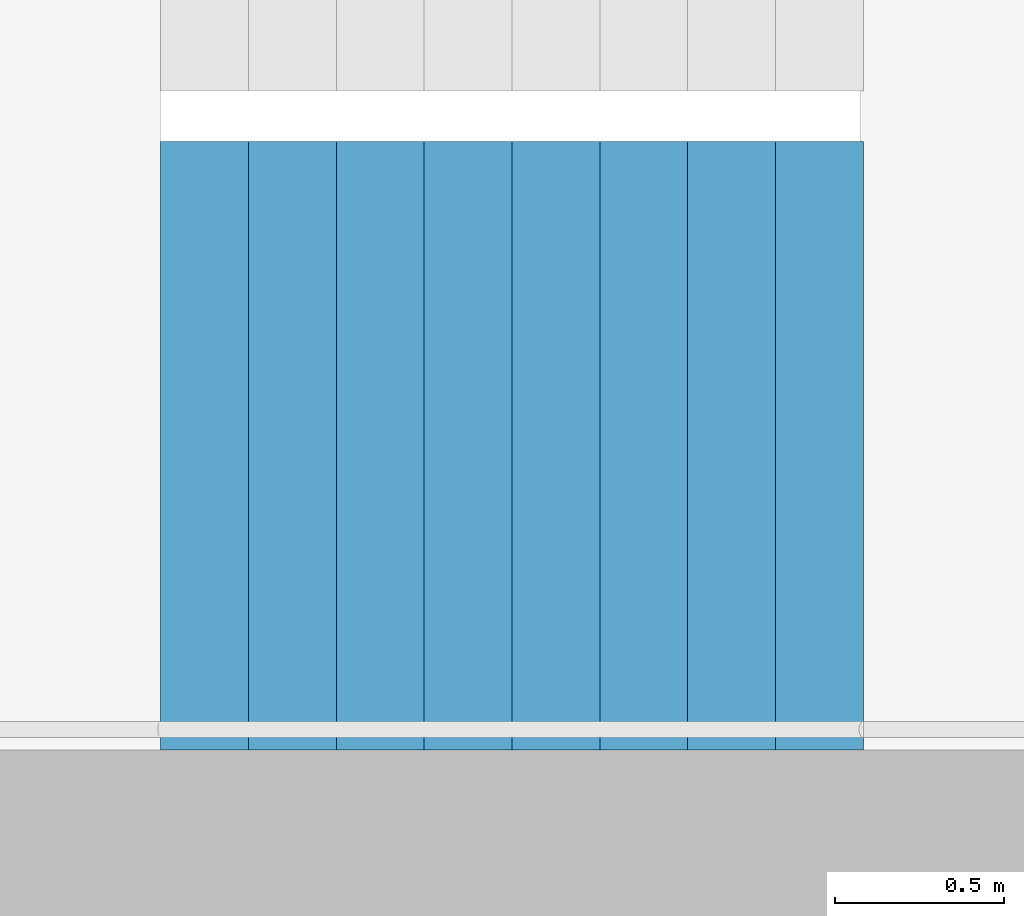
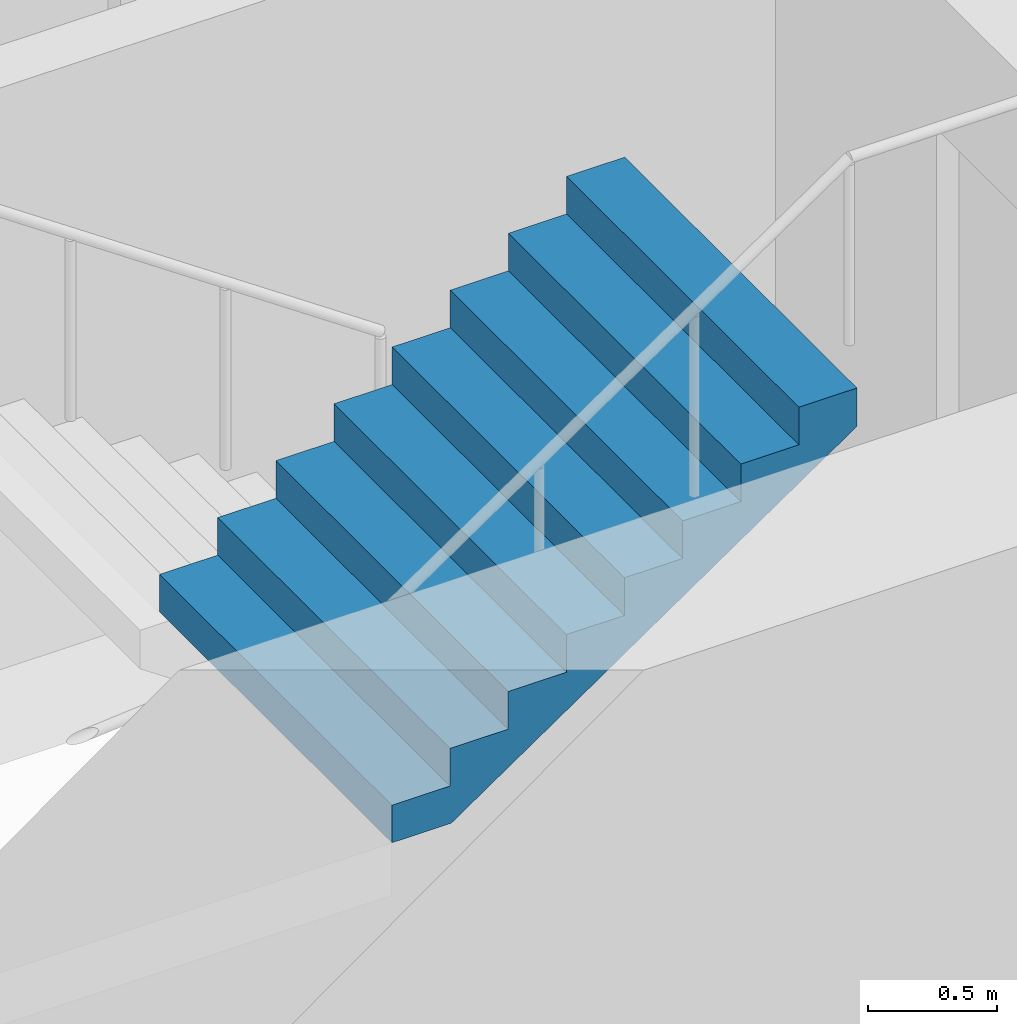
# One storey, part 18 of 26: 1 stair flight, 1 element without a shape of its own.
"""IFC4 building model written with IfcOpenShell, lengths in metres."""

from ifc_helpers import new_model, si_unit, direction, frame, origin, place, context, subcontext, project, spatial, triangles, material, type_object, element, aggregate, save


model = new_model("IFC4")

# Units and contexts
model_context = context("Model", 3, precision=1e-05, world=origin(), true_north=direction((0.0, 1.0)))
body_context = subcontext(model_context, "Body", "Model", "MODEL_VIEW")
ifc_project = project(units=[si_unit("LENGTHUNIT", "METRE"), si_unit("AREAUNIT", "SQUARE_METRE"), si_unit("VOLUMEUNIT", "CUBIC_METRE"), si_unit("PLANEANGLEUNIT", "RADIAN"), si_unit("MASSUNIT", "GRAM", prefix="KILO")], contexts=[model_context])

# Site, building, storey
site_placement = place(None, origin())
site = spatial("IfcSite", under=ifc_project, at=site_placement, CompositionType="ELEMENT")
building_placement = place(site_placement, origin())
building = spatial("IfcBuilding", under=site, at=building_placement, Name="Hakoniwa Tower and Hamabe Station Hall", CompositionType="ELEMENT")
storey_placement = place(building_placement, frame((0.0, 0.0, 131.0)))
storey = spatial("IfcBuildingStorey", under=building, at=storey_placement, Name="L36", CompositionType="ELEMENT", Elevation=131.0)

# Stair, stair flight
ifc_material_1 = material(Name="Concrete C40", Category="concrete")
stair_type = type_object("IfcStairType", Name="ESCAPE STAIR 1800", PredefinedType="HALF_TURN_STAIR", material=ifc_material_1)
stair_placement = place(storey_placement, origin())
stair = element("IfcStair", 1, at=stair_placement, inside=storey, type_object=stair_type, Name="Escape stair ST-2 L36", PredefinedType="HALF_TURN_STAIR")
ifc_material_2 = material(Name="Concrete C40", Category="concrete")
stair_flight_type = type_object("IfcStairFlightType", Name="STAIR FLIGHT 1800", PredefinedType="STRAIGHT", material=ifc_material_2)
stair_flight_placement = place(storey_placement, frame((-25.47998046875, -6.60009765625, 1.60009765625), z_axis=(0.0, 0.0, 1.0), x_axis=(1.0, 0.0, 0.0)))
stair_flight = element("IfcStairFlight", 2, at=stair_flight_placement, type_object=stair_flight_type, Name="ST-2 flight 2", NumberOfRisers=9, NumberOfTreads=8, PredefinedType="STRAIGHT", RiserHeight=0.177777778, TreadLength=0.26, context=body_context, shape_type="Tessellation", body=[
    triangles([(0.0, 0.89990234375, 0.0), (0.260009765625, 0.89990234375, 0.0), (0.265625, 0.89990234375, 0.0), (0.52001953125, 0.89990234375, 0.174072265625), (0.780029296875, 0.89990234375, 0.351806640625), (1.0400390625, 0.89990234375, 0.529541015625), (1.300048828125, 0.89990234375, 0.707275390625), (1.56005859375, 0.89990234375, 0.885009765625), (1.820068359375, 0.89990234375, 1.062744140625), (2.080078125, 0.89990234375, 1.24072265625), (2.080078125, 0.89990234375, 1.422119140625), (1.820068359375, 0.89990234375, 1.422119140625), (1.820068359375, 0.89990234375, 1.244384765625), (1.56005859375, 0.89990234375, 1.244384765625), (1.56005859375, 0.89990234375, 1.066650390625), (1.300048828125, 0.89990234375, 1.066650390625), (1.300048828125, 0.89990234375, 0.888916015625), (1.0400390625, 0.89990234375, 0.888916015625), (1.0400390625, 0.89990234375, 0.711181640625), (0.780029296875, 0.89990234375, 0.711181640625), (0.780029296875, 0.89990234375, 0.533447265625), (0.52001953125, 0.89990234375, 0.533447265625), (0.52001953125, 0.89990234375, 0.35546875), (0.265625, 0.89990234375, 0.35546875), (0.260009765625, 0.89990234375, 0.35546875), (0.260009765625, 0.89990234375, 0.177734375), (0.0, 0.89990234375, 0.177734375), (0.0, 0.06005859375, 0.0), (0.260009765625, 0.06005859375, 0.0), (0.265625, 0.06005859375, 0.0), (0.52001953125, 0.06005859375, 0.174072265625), (0.780029296875, 0.06005859375, 0.351806640625), (1.0400390625, 0.06005859375, 0.529541015625), (1.300048828125, 0.06005859375, 0.707275390625), (1.56005859375, 0.06005859375, 0.885009765625), (1.820068359375, 0.06005859375, 1.062744140625), (2.080078125, 0.06005859375, 1.24072265625), (2.080078125, 0.06005859375, 1.422119140625), (1.820068359375, 0.06005859375, 1.422119140625), (1.820068359375, 0.06005859375, 1.244384765625), (1.56005859375, 0.06005859375, 1.244384765625), (1.56005859375, 0.06005859375, 1.066650390625), (1.300048828125, 0.06005859375, 1.066650390625), (1.300048828125, 0.06005859375, 0.888916015625), (1.0400390625, 0.06005859375, 0.888916015625), (1.0400390625, 0.06005859375, 0.711181640625), (0.780029296875, 0.06005859375, 0.711181640625), (0.780029296875, 0.06005859375, 0.533447265625), (0.52001953125, 0.06005859375, 0.533447265625), (0.52001953125, 0.06005859375, 0.35546875), (0.265625, 0.06005859375, 0.35546875), (0.260009765625, 0.06005859375, 0.35546875), (0.260009765625, 0.06005859375, 0.177734375), (0.0, 0.06005859375, 0.177734375), (0.0, 0.04296875, 0.0), (0.260009765625, 0.04296875, 0.0), (0.265625, 0.04296875, 0.0), (0.52001953125, 0.04296875, 0.174072265625), (0.780029296875, 0.04296875, 0.351806640625), (1.0400390625, 0.04296875, 0.529541015625), (1.300048828125, 0.04296875, 0.707275390625), (1.56005859375, 0.04296875, 0.885009765625), (1.820068359375, 0.04296875, 1.062744140625), (2.080078125, 0.04296875, 1.24072265625), (2.080078125, 0.04296875, 1.422119140625), (1.820068359375, 0.04296875, 1.422119140625), (1.820068359375, 0.04296875, 1.244384765625), (1.56005859375, 0.04296875, 1.244384765625), (1.56005859375, 0.04296875, 1.066650390625), (1.300048828125, 0.04296875, 1.066650390625), (1.300048828125, 0.04296875, 0.888916015625), (1.0400390625, 0.04296875, 0.888916015625), (1.0400390625, 0.04296875, 0.711181640625), (0.780029296875, 0.04296875, 0.711181640625), (0.780029296875, 0.04296875, 0.533447265625), (0.52001953125, 0.04296875, 0.533447265625), (0.52001953125, 0.04296875, 0.35546875), (0.265625, 0.04296875, 0.35546875), (0.260009765625, 0.04296875, 0.35546875), (0.260009765625, 0.04296875, 0.177734375), (0.0, 0.04296875, 0.177734375), (0.0, 0.025634765625, 0.0), (0.260009765625, 0.025634765625, 0.0), (0.265625, 0.025634765625, 0.0), (0.52001953125, 0.025634765625, 0.174072265625), (0.780029296875, 0.025634765625, 0.351806640625), (1.0400390625, 0.025634765625, 0.529541015625), (1.300048828125, 0.025634765625, 0.707275390625), (1.56005859375, 0.025634765625, 0.885009765625), (1.820068359375, 0.025634765625, 1.062744140625), (2.080078125, 0.025634765625, 1.24072265625), (2.080078125, 0.025634765625, 1.422119140625), (1.820068359375, 0.025634765625, 1.422119140625), (1.820068359375, 0.025634765625, 1.244384765625), (1.56005859375, 0.025634765625, 1.244384765625), (1.56005859375, 0.025634765625, 1.066650390625), (1.300048828125, 0.025634765625, 1.066650390625), (1.300048828125, 0.025634765625, 0.888916015625), (1.0400390625, 0.025634765625, 0.888916015625), (1.0400390625, 0.025634765625, 0.711181640625), (0.780029296875, 0.025634765625, 0.711181640625), (0.780029296875, 0.025634765625, 0.533447265625), (0.52001953125, 0.025634765625, 0.533447265625), (0.52001953125, 0.025634765625, 0.35546875), (0.265625, 0.025634765625, 0.35546875), (0.260009765625, 0.025634765625, 0.35546875), (0.260009765625, 0.025634765625, 0.177734375), (0.0, 0.025634765625, 0.177734375), (0.0, 0.008544921875, 0.0), (0.260009765625, 0.008544921875, 0.0), (0.265625, 0.008544921875, 0.0), (0.52001953125, 0.008544921875, 0.174072265625), (0.780029296875, 0.008544921875, 0.351806640625), (1.0400390625, 0.008544921875, 0.529541015625), (1.300048828125, 0.008544921875, 0.707275390625), (1.56005859375, 0.008544921875, 0.885009765625), (1.820068359375, 0.008544921875, 1.062744140625), (2.080078125, 0.008544921875, 1.24072265625), (2.080078125, 0.008544921875, 1.422119140625), (1.820068359375, 0.008544921875, 1.422119140625), (1.820068359375, 0.008544921875, 1.244384765625), (1.56005859375, 0.008544921875, 1.244384765625), (1.56005859375, 0.008544921875, 1.066650390625), (1.300048828125, 0.008544921875, 1.066650390625), (1.300048828125, 0.008544921875, 0.888916015625), (1.0400390625, 0.008544921875, 0.888916015625), (1.0400390625, 0.008544921875, 0.711181640625), (0.780029296875, 0.008544921875, 0.711181640625), (0.780029296875, 0.008544921875, 0.533447265625), (0.52001953125, 0.008544921875, 0.533447265625), (0.52001953125, 0.008544921875, 0.35546875), (0.265625, 0.008544921875, 0.35546875), (0.260009765625, 0.008544921875, 0.35546875), (0.260009765625, 0.008544921875, 0.177734375), (0.0, 0.008544921875, 0.177734375), (0.0, -0.008544921875, 0.0), (0.260009765625, -0.008544921875, 0.0), (0.265625, -0.008544921875, 0.0), (0.52001953125, -0.008544921875, 0.174072265625), (0.780029296875, -0.008544921875, 0.351806640625), (1.0400390625, -0.008544921875, 0.529541015625), (1.300048828125, -0.008544921875, 0.707275390625), (1.56005859375, -0.008544921875, 0.885009765625), (1.820068359375, -0.008544921875, 1.062744140625), (2.080078125, -0.008544921875, 1.24072265625), (2.080078125, -0.008544921875, 1.422119140625), (1.820068359375, -0.008544921875, 1.422119140625), (1.820068359375, -0.008544921875, 1.244384765625), (1.56005859375, -0.008544921875, 1.244384765625), (1.56005859375, -0.008544921875, 1.066650390625), (1.300048828125, -0.008544921875, 1.066650390625), (1.300048828125, -0.008544921875, 0.888916015625), (1.0400390625, -0.008544921875, 0.888916015625), (1.0400390625, -0.008544921875, 0.711181640625), (0.780029296875, -0.008544921875, 0.711181640625), (0.780029296875, -0.008544921875, 0.533447265625), (0.52001953125, -0.008544921875, 0.533447265625), (0.52001953125, -0.008544921875, 0.35546875), (0.265625, -0.008544921875, 0.35546875), (0.260009765625, -0.008544921875, 0.35546875), (0.260009765625, -0.008544921875, 0.177734375), (0.0, -0.008544921875, 0.177734375), (0.0, -0.025634765625, 0.0), (0.260009765625, -0.025634765625, 0.0), (0.265625, -0.025634765625, 0.0), (0.52001953125, -0.025634765625, 0.174072265625), (0.780029296875, -0.025634765625, 0.351806640625), (1.0400390625, -0.025634765625, 0.529541015625), (1.300048828125, -0.025634765625, 0.707275390625), (1.56005859375, -0.025634765625, 0.885009765625), (1.820068359375, -0.025634765625, 1.062744140625), (2.080078125, -0.025634765625, 1.24072265625), (2.080078125, -0.025634765625, 1.422119140625), (1.820068359375, -0.025634765625, 1.422119140625), (1.820068359375, -0.025634765625, 1.244384765625), (1.56005859375, -0.025634765625, 1.244384765625), (1.56005859375, -0.025634765625, 1.066650390625), (1.300048828125, -0.025634765625, 1.066650390625), (1.300048828125, -0.025634765625, 0.888916015625), (1.0400390625, -0.025634765625, 0.888916015625), (1.0400390625, -0.025634765625, 0.711181640625), (0.780029296875, -0.025634765625, 0.711181640625), (0.780029296875, -0.025634765625, 0.533447265625), (0.52001953125, -0.025634765625, 0.533447265625), (0.52001953125, -0.025634765625, 0.35546875), (0.265625, -0.025634765625, 0.35546875), (0.260009765625, -0.025634765625, 0.35546875), (0.260009765625, -0.025634765625, 0.177734375), (0.0, -0.025634765625, 0.177734375), (0.0, -0.04296875, 0.0), (0.260009765625, -0.04296875, 0.0), (0.265625, -0.04296875, 0.0), (0.52001953125, -0.04296875, 0.174072265625), (0.780029296875, -0.04296875, 0.351806640625), (1.0400390625, -0.04296875, 0.529541015625), (1.300048828125, -0.04296875, 0.707275390625), (1.56005859375, -0.04296875, 0.885009765625), (1.820068359375, -0.04296875, 1.062744140625), (2.080078125, -0.04296875, 1.24072265625), (2.080078125, -0.04296875, 1.422119140625), (1.820068359375, -0.04296875, 1.422119140625), (1.820068359375, -0.04296875, 1.244384765625), (1.56005859375, -0.04296875, 1.244384765625), (1.56005859375, -0.04296875, 1.066650390625), (1.300048828125, -0.04296875, 1.066650390625), (1.300048828125, -0.04296875, 0.888916015625), (1.0400390625, -0.04296875, 0.888916015625), (1.0400390625, -0.04296875, 0.711181640625), (0.780029296875, -0.04296875, 0.711181640625), (0.780029296875, -0.04296875, 0.533447265625), (0.52001953125, -0.04296875, 0.533447265625), (0.52001953125, -0.04296875, 0.35546875), (0.265625, -0.04296875, 0.35546875), (0.260009765625, -0.04296875, 0.35546875), (0.260009765625, -0.04296875, 0.177734375), (0.0, -0.04296875, 0.177734375), (0.0, -0.06005859375, 0.0), (0.260009765625, -0.06005859375, 0.0), (0.265625, -0.06005859375, 0.0), (0.52001953125, -0.06005859375, 0.174072265625), (0.780029296875, -0.06005859375, 0.351806640625), (1.0400390625, -0.06005859375, 0.529541015625), (1.300048828125, -0.06005859375, 0.707275390625), (1.56005859375, -0.06005859375, 0.885009765625), (1.820068359375, -0.06005859375, 1.062744140625), (2.080078125, -0.06005859375, 1.24072265625), (2.080078125, -0.06005859375, 1.422119140625), (1.820068359375, -0.06005859375, 1.422119140625), (1.820068359375, -0.06005859375, 1.244384765625), (1.56005859375, -0.06005859375, 1.244384765625), (1.56005859375, -0.06005859375, 1.066650390625), (1.300048828125, -0.06005859375, 1.066650390625), (1.300048828125, -0.06005859375, 0.888916015625), (1.0400390625, -0.06005859375, 0.888916015625), (1.0400390625, -0.06005859375, 0.711181640625), (0.780029296875, -0.06005859375, 0.711181640625), (0.780029296875, -0.06005859375, 0.533447265625), (0.52001953125, -0.06005859375, 0.533447265625), (0.52001953125, -0.06005859375, 0.35546875), (0.265625, -0.06005859375, 0.35546875), (0.260009765625, -0.06005859375, 0.35546875), (0.260009765625, -0.06005859375, 0.177734375), (0.0, -0.06005859375, 0.177734375), (0.0, -0.89990234375, 0.0), (0.260009765625, -0.89990234375, 0.0), (0.265625, -0.89990234375, 0.0), (0.52001953125, -0.89990234375, 0.174072265625), (0.780029296875, -0.89990234375, 0.351806640625), (1.0400390625, -0.89990234375, 0.529541015625), (1.300048828125, -0.89990234375, 0.707275390625), (1.56005859375, -0.89990234375, 0.885009765625), (1.820068359375, -0.89990234375, 1.062744140625), (2.080078125, -0.89990234375, 1.24072265625), (2.080078125, -0.89990234375, 1.422119140625), (1.820068359375, -0.89990234375, 1.422119140625), (1.820068359375, -0.89990234375, 1.244384765625), (1.56005859375, -0.89990234375, 1.244384765625), (1.56005859375, -0.89990234375, 1.066650390625), (1.300048828125, -0.89990234375, 1.066650390625), (1.300048828125, -0.89990234375, 0.888916015625), (1.0400390625, -0.89990234375, 0.888916015625), (1.0400390625, -0.89990234375, 0.711181640625), (0.780029296875, -0.89990234375, 0.711181640625), (0.780029296875, -0.89990234375, 0.533447265625), (0.52001953125, -0.89990234375, 0.533447265625), (0.52001953125, -0.89990234375, 0.35546875), (0.265625, -0.89990234375, 0.35546875), (0.260009765625, -0.89990234375, 0.35546875), (0.260009765625, -0.89990234375, 0.177734375), (0.0, -0.89990234375, 0.177734375)], [[2, 27, 26], [245, 269, 270], [2, 1, 27], [245, 270, 244], [3, 25, 24], [246, 267, 268], [3, 26, 25], [246, 268, 269], [3, 2, 26], [246, 269, 245], [4, 24, 23], [247, 266, 267], [4, 3, 24], [247, 267, 246], [5, 22, 21], [248, 264, 265], [5, 23, 22], [248, 265, 266], [5, 4, 23], [248, 266, 247], [6, 20, 19], [249, 262, 263], [6, 21, 20], [249, 263, 264], [6, 5, 21], [249, 264, 248], [7, 18, 17], [250, 260, 261], [7, 19, 18], [250, 261, 262], [7, 6, 19], [250, 262, 249], [8, 16, 15], [251, 258, 259], [8, 17, 16], [251, 259, 260], [8, 7, 17], [251, 260, 250], [9, 14, 13], [252, 256, 257], [9, 15, 14], [252, 257, 258], [9, 8, 15], [252, 258, 251], [10, 12, 11], [253, 254, 255], [10, 13, 12], [253, 255, 256], [10, 9, 13], [253, 256, 252], [1, 2, 29], [1, 29, 28], [28, 29, 56], [28, 56, 55], [55, 56, 83], [55, 83, 82], [82, 83, 110], [82, 110, 109], [109, 110, 137], [109, 137, 136], [136, 137, 164], [136, 164, 163], [163, 164, 191], [163, 191, 190], [190, 191, 218], [190, 218, 217], [217, 218, 245], [217, 245, 244], [2, 3, 30], [2, 30, 29], [29, 30, 57], [29, 57, 56], [56, 57, 84], [56, 84, 83], [83, 84, 111], [83, 111, 110], [110, 111, 138], [110, 138, 137], [137, 138, 165], [137, 165, 164], [164, 165, 192], [164, 192, 191], [191, 192, 219], [191, 219, 218], [218, 219, 246], [218, 246, 245], [3, 4, 31], [3, 31, 30], [30, 31, 58], [30, 58, 57], [57, 58, 85], [57, 85, 84], [84, 85, 112], [84, 112, 111], [111, 112, 139], [111, 139, 138], [138, 139, 166], [138, 166, 165], [165, 166, 193], [165, 193, 192], [192, 193, 220], [192, 220, 219], [219, 220, 247], [219, 247, 246], [4, 5, 32], [4, 32, 31], [31, 32, 59], [31, 59, 58], [58, 59, 86], [58, 86, 85], [85, 86, 113], [85, 113, 112], [112, 113, 140], [112, 140, 139], [139, 140, 167], [139, 167, 166], [166, 167, 194], [166, 194, 193], [193, 194, 221], [193, 221, 220], [220, 221, 248], [220, 248, 247], [5, 6, 33], [5, 33, 32], [32, 33, 60], [32, 60, 59], [59, 60, 87], [59, 87, 86], [86, 87, 114], [86, 114, 113], [113, 114, 141], [113, 141, 140], [140, 141, 168], [140, 168, 167], [167, 168, 195], [167, 195, 194], [194, 195, 222], [194, 222, 221], [221, 222, 249], [221, 249, 248], [6, 7, 34], [6, 34, 33], [33, 34, 61], [33, 61, 60], [60, 61, 88], [60, 88, 87], [87, 88, 115], [87, 115, 114], [114, 115, 142], [114, 142, 141], [141, 142, 169], [141, 169, 168], [168, 169, 196], [168, 196, 195], [195, 196, 223], [195, 223, 222], [222, 223, 250], [222, 250, 249], [7, 8, 35], [7, 35, 34], [34, 35, 62], [34, 62, 61], [61, 62, 89], [61, 89, 88], [88, 89, 116], [88, 116, 115], [115, 116, 143], [115, 143, 142], [142, 143, 170], [142, 170, 169], [169, 170, 197], [169, 197, 196], [196, 197, 224], [196, 224, 223], [223, 224, 251], [223, 251, 250], [8, 9, 36], [8, 36, 35], [35, 36, 63], [35, 63, 62], [62, 63, 90], [62, 90, 89], [89, 90, 117], [89, 117, 116], [116, 117, 144], [116, 144, 143], [143, 144, 171], [143, 171, 170], [170, 171, 198], [170, 198, 197], [197, 198, 225], [197, 225, 224], [224, 225, 252], [224, 252, 251], [9, 10, 37], [9, 37, 36], [36, 37, 64], [36, 64, 63], [63, 64, 91], [63, 91, 90], [90, 91, 118], [90, 118, 117], [117, 118, 145], [117, 145, 144], [144, 145, 172], [144, 172, 171], [171, 172, 199], [171, 199, 198], [198, 199, 226], [198, 226, 225], [225, 226, 253], [225, 253, 252], [10, 11, 38], [10, 38, 37], [37, 38, 65], [37, 65, 64], [64, 65, 92], [64, 92, 91], [91, 92, 119], [91, 119, 118], [118, 119, 146], [118, 146, 145], [145, 146, 173], [145, 173, 172], [172, 173, 200], [172, 200, 199], [199, 200, 227], [199, 227, 226], [226, 227, 254], [226, 254, 253], [11, 12, 39], [11, 39, 38], [38, 39, 66], [38, 66, 65], [65, 66, 93], [65, 93, 92], [92, 93, 120], [92, 120, 119], [119, 120, 147], [119, 147, 146], [146, 147, 174], [146, 174, 173], [173, 174, 201], [173, 201, 200], [200, 201, 228], [200, 228, 227], [227, 228, 255], [227, 255, 254], [12, 13, 40], [12, 40, 39], [39, 40, 67], [39, 67, 66], [66, 67, 94], [66, 94, 93], [93, 94, 121], [93, 121, 120], [120, 121, 148], [120, 148, 147], [147, 148, 175], [147, 175, 174], [174, 175, 202], [174, 202, 201], [201, 202, 229], [201, 229, 228], [228, 229, 256], [228, 256, 255], [13, 14, 41], [13, 41, 40], [40, 41, 68], [40, 68, 67], [67, 68, 95], [67, 95, 94], [94, 95, 122], [94, 122, 121], [121, 122, 149], [121, 149, 148], [148, 149, 176], [148, 176, 175], [175, 176, 203], [175, 203, 202], [202, 203, 230], [202, 230, 229], [229, 230, 257], [229, 257, 256], [14, 15, 42], [14, 42, 41], [41, 42, 69], [41, 69, 68], [68, 69, 96], [68, 96, 95], [95, 96, 123], [95, 123, 122], [122, 123, 150], [122, 150, 149], [149, 150, 177], [149, 177, 176], [176, 177, 204], [176, 204, 203], [203, 204, 231], [203, 231, 230], [230, 231, 258], [230, 258, 257], [15, 16, 43], [15, 43, 42], [42, 43, 70], [42, 70, 69], [69, 70, 97], [69, 97, 96], [96, 97, 124], [96, 124, 123], [123, 124, 151], [123, 151, 150], [150, 151, 178], [150, 178, 177], [177, 178, 205], [177, 205, 204], [204, 205, 232], [204, 232, 231], [231, 232, 259], [231, 259, 258], [16, 17, 44], [16, 44, 43], [43, 44, 71], [43, 71, 70], [70, 71, 98], [70, 98, 97], [97, 98, 125], [97, 125, 124], [124, 125, 152], [124, 152, 151], [151, 152, 179], [151, 179, 178], [178, 179, 206], [178, 206, 205], [205, 206, 233], [205, 233, 232], [232, 233, 260], [232, 260, 259], [17, 18, 45], [17, 45, 44], [44, 45, 72], [44, 72, 71], [71, 72, 99], [71, 99, 98], [98, 99, 126], [98, 126, 125], [125, 126, 153], [125, 153, 152], [152, 153, 180], [152, 180, 179], [179, 180, 207], [179, 207, 206], [206, 207, 234], [206, 234, 233], [233, 234, 261], [233, 261, 260], [18, 19, 46], [18, 46, 45], [45, 46, 73], [45, 73, 72], [72, 73, 100], [72, 100, 99], [99, 100, 127], [99, 127, 126], [126, 127, 154], [126, 154, 153], [153, 154, 181], [153, 181, 180], [180, 181, 208], [180, 208, 207], [207, 208, 235], [207, 235, 234], [234, 235, 262], [234, 262, 261], [19, 20, 47], [19, 47, 46], [46, 47, 74], [46, 74, 73], [73, 74, 101], [73, 101, 100], [100, 101, 128], [100, 128, 127], [127, 128, 155], [127, 155, 154], [154, 155, 182], [154, 182, 181], [181, 182, 209], [181, 209, 208], [208, 209, 236], [208, 236, 235], [235, 236, 263], [235, 263, 262], [20, 21, 48], [20, 48, 47], [47, 48, 75], [47, 75, 74], [74, 75, 102], [74, 102, 101], [101, 102, 129], [101, 129, 128], [128, 129, 156], [128, 156, 155], [155, 156, 183], [155, 183, 182], [182, 183, 210], [182, 210, 209], [209, 210, 237], [209, 237, 236], [236, 237, 264], [236, 264, 263], [21, 22, 49], [21, 49, 48], [48, 49, 76], [48, 76, 75], [75, 76, 103], [75, 103, 102], [102, 103, 130], [102, 130, 129], [129, 130, 157], [129, 157, 156], [156, 157, 184], [156, 184, 183], [183, 184, 211], [183, 211, 210], [210, 211, 238], [210, 238, 237], [237, 238, 265], [237, 265, 264], [22, 23, 50], [22, 50, 49], [49, 50, 77], [49, 77, 76], [76, 77, 104], [76, 104, 103], [103, 104, 131], [103, 131, 130], [130, 131, 158], [130, 158, 157], [157, 158, 185], [157, 185, 184], [184, 185, 212], [184, 212, 211], [211, 212, 239], [211, 239, 238], [238, 239, 266], [238, 266, 265], [23, 24, 51], [23, 51, 50], [50, 51, 78], [50, 78, 77], [77, 78, 105], [77, 105, 104], [104, 105, 132], [104, 132, 131], [131, 132, 159], [131, 159, 158], [158, 159, 186], [158, 186, 185], [185, 186, 213], [185, 213, 212], [212, 213, 240], [212, 240, 239], [239, 240, 267], [239, 267, 266], [24, 25, 52], [24, 52, 51], [51, 52, 79], [51, 79, 78], [78, 79, 106], [78, 106, 105], [105, 106, 133], [105, 133, 132], [132, 133, 160], [132, 160, 159], [159, 160, 187], [159, 187, 186], [186, 187, 214], [186, 214, 213], [213, 214, 241], [213, 241, 240], [240, 241, 268], [240, 268, 267], [25, 26, 53], [25, 53, 52], [52, 53, 80], [52, 80, 79], [79, 80, 107], [79, 107, 106], [106, 107, 134], [106, 134, 133], [133, 134, 161], [133, 161, 160], [160, 161, 188], [160, 188, 187], [187, 188, 215], [187, 215, 214], [214, 215, 242], [214, 242, 241], [241, 242, 269], [241, 269, 268], [26, 27, 54], [26, 54, 53], [53, 54, 81], [53, 81, 80], [80, 81, 108], [80, 108, 107], [107, 108, 135], [107, 135, 134], [134, 135, 162], [134, 162, 161], [161, 162, 189], [161, 189, 188], [188, 189, 216], [188, 216, 215], [215, 216, 243], [215, 243, 242], [242, 243, 270], [242, 270, 269], [27, 1, 28], [27, 28, 54], [54, 28, 55], [54, 55, 81], [81, 55, 82], [81, 82, 108], [108, 82, 109], [108, 109, 135], [135, 109, 136], [135, 136, 162], [162, 136, 163], [162, 163, 189], [189, 163, 190], [189, 190, 216], [216, 190, 217], [216, 217, 243], [243, 217, 244], [243, 244, 270]], closed=True),
])
aggregate(stair, [stair_flight])

save(model, "model.ifc")
